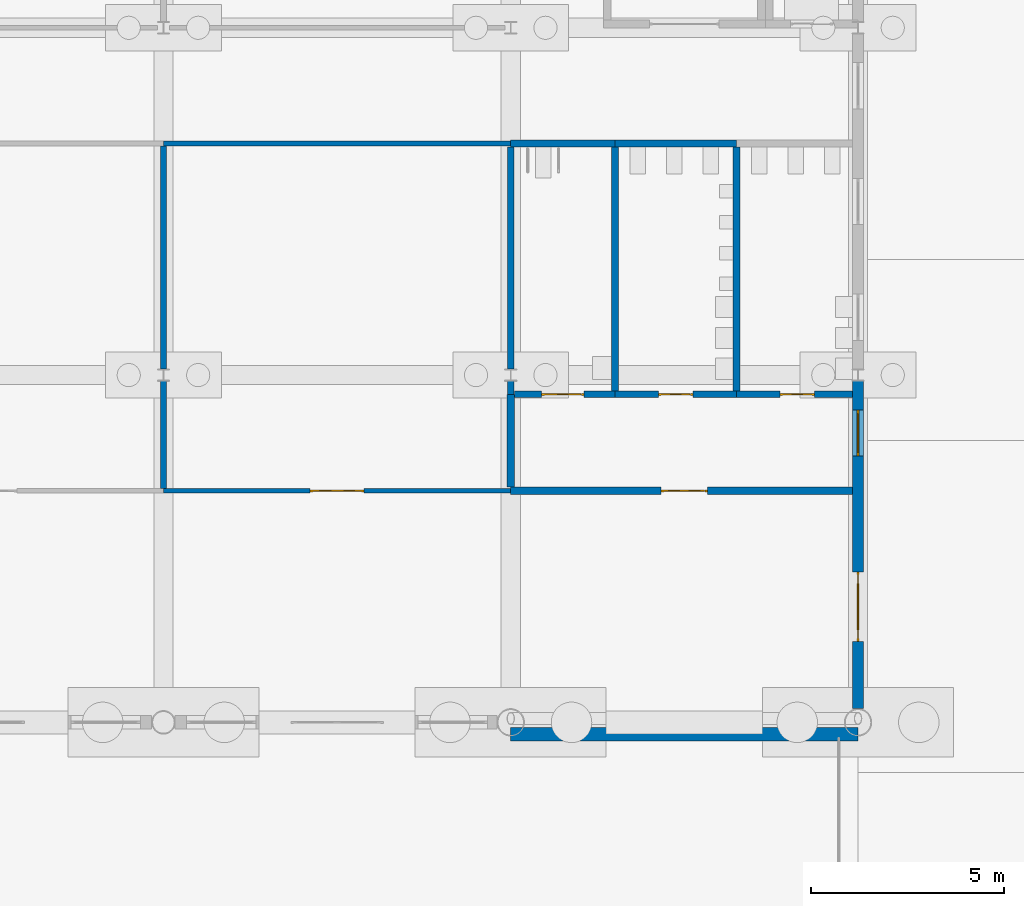
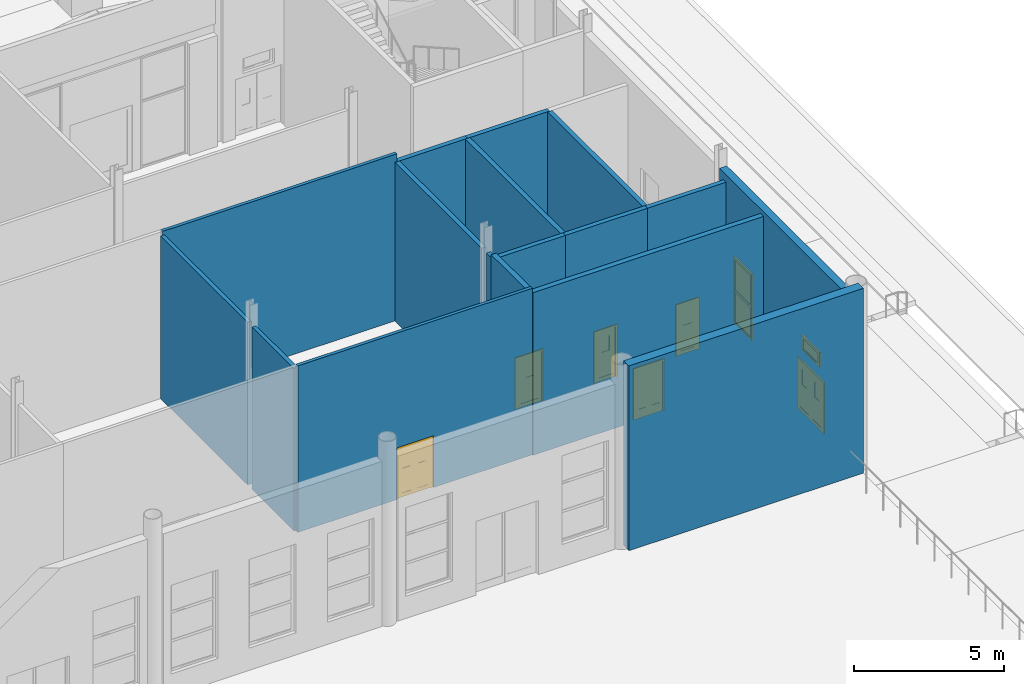
# One storey, part 130 of 250: 17 walls, 6 doors, 2 windows, 8 openings.
"""IFC4 building model written with IfcOpenShell, lengths in metres."""

from ifc_helpers import new_model, si_unit, direction, frame, frame_2d, origin, place, context, subcontext, project, spatial, polyline, rectangle, outline, extrude, material, layer, layer_set, type_object, element, fill, save


model = new_model("IFC4")

# Units and contexts
model_context = context("Model", 3, precision=1e-05, world=origin(), true_north=direction((0.0, 1.0)))
body_context = subcontext(model_context, "Body", "Model", "MODEL_VIEW")
ifc_project = project(units=[si_unit("LENGTHUNIT", "METRE"), si_unit("AREAUNIT", "SQUARE_METRE"), si_unit("VOLUMEUNIT", "CUBIC_METRE"), si_unit("PLANEANGLEUNIT", "RADIAN"), si_unit("MASSUNIT", "GRAM", prefix="KILO")], contexts=[model_context])

# Site, building, storey
site_placement = place(None, origin())
site = spatial("IfcSite", under=ifc_project, at=site_placement, CompositionType="ELEMENT")
building_placement = place(site_placement, origin())
building = spatial("IfcBuilding", under=site, at=building_placement, Name="Baradari Gate Terminus", CompositionType="ELEMENT")
storey_placement = place(building_placement, origin())
storey = spatial("IfcBuildingStorey", under=building, at=storey_placement, Name="L00", CompositionType="ELEMENT", Elevation=0.0)

# Wall
ifc_material_1 = material(Name="Gypsum board")
ifc_layer_1 = layer(ifc_material_1, 0.125)
ifc_layer_set_1 = layer_set([ifc_layer_1], Name="Gypsum board")
wall_type_1 = type_object("IfcWallType", Name="Corridor partition PT-5 125 EI 30", PredefinedType="PARTITIONING", material=ifc_layer_set_1)
wall_1_placement = place(storey_placement, frame((234.0, 96.0, 0.0), z_axis=(0.0, 0.0, 1.0), x_axis=(-1.0, 0.0, 0.0)))
element("IfcWall", 1, at=wall_1_placement, inside=storey, type_object=wall_type_1, Name="PT-5 partition Corridor (Service Corridor East) / Prayer Room (Women)", PredefinedType="PARTITIONING", context=body_context, shape_type="SweptSolid", body=[
    extrude(rectangle(XDim=9.0, YDim=0.125, at=frame_2d((4.5, 0.0))), origin(), (0.0, 0.0, 1.0), 6.757080078125),
])

# Wall, opening, door
wall_2_placement = place(storey_placement, frame((225.0, 87.0, 0.0), z_axis=(0.0, 0.0, 1.0), x_axis=(1.0, 0.0, 0.0)))
wall_2 = element("IfcWall", 2, at=wall_2_placement, inside=storey, type_object=wall_type_1, Name="PT-5 partition Corridor (Platform Passage East) / Prayer Room (Women)", PredefinedType="PARTITIONING", context=body_context, shape_type="SweptSolid", body=[
    extrude(rectangle(XDim=9.0, YDim=0.125, at=frame_2d((4.5, 0.0))), origin(), (0.0, 0.0, 1.0), 6.757080078125),
])
opening_1_placement = place(wall_2_placement, frame((3.800048828125, 0.0, 0.0)))
opening_1 = element("IfcOpeningElement", 3, at=opening_1_placement, cuts=wall_2, Name="Opening D00-116", PredefinedType="OPENING", context=body_context, shape_type="SweptSolid", body=[
    extrude(rectangle(XDim=1.39990234375, YDim=2.10009765625, at=frame_2d((0.699951171875, 1.050048828125))), frame((0.0, 0.072509765625, 0.0), z_axis=(0.0, -1.0, 0.0), x_axis=(1.0, 0.0, 0.0)), (0.0, 0.0, 1.0), 0.14501953125),
])
ifc_material_2 = material(Name="Steel S275", Category="steel")
door_type_1 = type_object("IfcDoorType", Name="Fire door FI-1400-FD30S 1400x2100 FD30S", OperationType="DOUBLE_DOOR_SINGLE_SWING", PredefinedType="DOOR", material=ifc_material_2)
door_1_placement = place(opening_1_placement, origin())
door_1 = element("IfcDoor", 4, at=door_1_placement, inside=storey, type_object=door_type_1, Name="Door Prayer Room (Women)", OperationType="DOUBLE_DOOR_SINGLE_SWING", OverallHeight=2.1, OverallWidth=1.4, PredefinedType="DOOR", context=body_context, shape_type="SweptSolid", body=[
    extrude(outline(polyline([(0.0, 0.0), (0.070068359375, 0.0), (0.070068359375, 2.030029296875), (1.329833984375, 2.030029296875), (1.329833984375, 0.0), (1.39990234375, 0.0), (1.39990234375, 2.10009765625), (0.0, 2.10009765625), (0.0, 0.0)])), frame((0.0, 0.02490234375, 0.0), z_axis=(0.0, -1.0, 0.0), x_axis=(1.0, 0.0, 0.0)), (0.0, 0.0, 1.0), 0.050048828125),
    extrude(outline(polyline([(0.073974609375, 0.010009765625), (0.69677734375, 0.010009765625), (0.69677734375, 2.026123046875), (0.073974609375, 2.026123046875), (0.073974609375, 0.010009765625)]), holes=[polyline([(0.194091796875, 0.159912109375), (0.576904296875, 0.159912109375), (0.576904296875, 1.010009765625), (0.194091796875, 1.010009765625), (0.194091796875, 0.159912109375)]), polyline([(0.2353515625, 1.159912109375), (0.535400390625, 1.159912109375), (0.535400390625, 1.760009765625), (0.2353515625, 1.760009765625), (0.2353515625, 1.159912109375)])]), frame((0.0, 0.017333984375, 0.0), z_axis=(0.0, -1.0, 0.0), x_axis=(1.0, 0.0, 0.0)), (0.0, 0.0, 1.0), 0.034912109375),
    extrude(rectangle(XDim=0.3828125, YDim=0.85009765625, at=frame_2d((0.385498046875, 0.5849609375))), frame((0.0, 0.008544921875, 0.0), z_axis=(0.0, -1.0, 0.0), x_axis=(1.0, 0.0, 0.0)), (0.0, 0.0, 1.0), 0.017333984375),
    extrude(rectangle(XDim=0.300048828125, YDim=0.60009765625, at=frame_2d((0.38525390625, 1.4599609375))), frame((0.0, 0.005859375, 0.0), z_axis=(0.0, -1.0, 0.0), x_axis=(1.0, 0.0, 0.0)), (0.0, 0.0, 1.0), 0.011962890625),
    extrude(outline(polyline([(0.703125, 0.010009765625), (1.325927734375, 0.010009765625), (1.325927734375, 2.026123046875), (0.703125, 2.026123046875), (0.703125, 0.010009765625)]), holes=[polyline([(0.822998046875, 0.159912109375), (1.205810546875, 0.159912109375), (1.205810546875, 1.010009765625), (0.822998046875, 1.010009765625), (0.822998046875, 0.159912109375)]), polyline([(0.864501953125, 1.159912109375), (1.16455078125, 1.159912109375), (1.16455078125, 1.760009765625), (0.864501953125, 1.760009765625), (0.864501953125, 1.159912109375)])]), frame((0.0, 0.017333984375, 0.0), z_axis=(0.0, -1.0, 0.0), x_axis=(1.0, 0.0, 0.0)), (0.0, 0.0, 1.0), 0.034912109375),
    extrude(rectangle(XDim=0.3828125, YDim=0.85009765625, at=frame_2d((1.014404296875, 0.5849609375))), frame((0.0, 0.008544921875, 0.0), z_axis=(0.0, -1.0, 0.0), x_axis=(1.0, 0.0, 0.0)), (0.0, 0.0, 1.0), 0.017333984375),
    extrude(rectangle(XDim=0.300048828125, YDim=0.60009765625, at=frame_2d((1.0146484375, 1.4599609375))), frame((0.0, 0.005859375, 0.0), z_axis=(0.0, -1.0, 0.0), x_axis=(1.0, 0.0, 0.0)), (0.0, 0.0, 1.0), 0.011962890625),
])
fill(opening_1, door_1)

# Wall, openings, windows, door
ifc_material_3 = material(Name="Concrete C40/50 precast", Category="concrete")
ifc_layer_2 = layer(ifc_material_3, 0.23)
ifc_material_4 = material(Name="Reconstituted stone", Category="masonry")
ifc_layer_3 = layer(ifc_material_4, 0.05)
ifc_layer_set_2 = layer_set([ifc_layer_2, ifc_layer_3], Name="Concrete C40/50 precast")
wall_type_2 = type_object("IfcWallType", Name="End wall WE-1 280", PredefinedType="SOLIDWALL", material=ifc_layer_set_2)
wall_3_placement = place(storey_placement, frame((243.0, 81.35546875, 0.0), z_axis=(0.0, 0.0, 1.0), x_axis=(0.0, 1.0, 0.0)))
wall_3 = element("IfcWall", 5, at=wall_3_placement, inside=storey, type_object=wall_type_2, Name="east end HE bay 10 L00", PredefinedType="SOLIDWALL", context=body_context, shape_type="SweptSolid", body=[
    extrude(rectangle(XDim=8.4873046875, YDim=0.280029296875, at=frame_2d((4.24365234375, 0.0))), origin(), (0.0, 0.0, 1.0), 6.767333984375),
])
opening_2_placement = place(wall_3_placement, frame((1.744384765625, 0.0, 0.0)))
opening_2 = element("IfcOpeningElement", 6, at=opening_2_placement, cuts=wall_3, Name="Opening D00-044", PredefinedType="OPENING", context=body_context, shape_type="SweptSolid", body=[
    extrude(rectangle(XDim=1.800048828125, YDim=2.10009765625, at=frame_2d((0.89990234375, 1.050048828125))), frame((0.0, 0.14990234375, 0.0), z_axis=(0.0, -1.0, 0.0), x_axis=(1.0, 0.0, 0.0)), (0.0, 0.0, 1.0), 0.300048828125),
])
opening_3_placement = place(wall_3_placement, frame((2.04443359375, 0.0, 2.550048828125)))
opening_3 = element("IfcOpeningElement", 7, at=opening_3_placement, cuts=wall_3, Name="Opening W10", PredefinedType="OPENING", context=body_context, shape_type="SweptSolid", body=[
    extrude(rectangle(XDim=1.199951171875, YDim=0.60009765625, at=frame_2d((0.60009765625, 0.300048828125))), frame((0.0, 0.14990234375, 0.0), z_axis=(0.0, -1.0, 0.0), x_axis=(1.0, 0.0, 0.0)), (0.0, 0.0, 1.0), 0.300048828125),
])
opening_4_placement = place(wall_3_placement, frame((6.54443359375, 0.0, 0.89990234375)))
opening_4 = element("IfcOpeningElement", 8, at=opening_4_placement, cuts=wall_3, Name="Opening W7", PredefinedType="OPENING", context=body_context, shape_type="SweptSolid", body=[
    extrude(rectangle(XDim=1.199951171875, YDim=2.699951171875, at=frame_2d((0.60009765625, 1.35009765625))), frame((0.0, 0.14990234375, 0.0), z_axis=(0.0, -1.0, 0.0), x_axis=(1.0, 0.0, 0.0)), (0.0, 0.0, 1.0), 0.300048828125),
])
ifc_material_5 = material(Name="Aluminium 6063-T6", Category="aluminium")
window_type_1 = type_object("IfcWindowType", Name="Door fanlight W10 1200x600", PartitioningType="SINGLE_PANEL", PredefinedType="WINDOW", material=ifc_material_5)
window_1_placement = place(opening_3_placement, origin())
window_1 = element("IfcWindow", 9, at=window_1_placement, inside=storey, type_object=window_type_1, Name="Fanlight over Corridor (Platform Passage East)", OverallHeight=0.6, OverallWidth=1.2, PartitioningType="SINGLE_PANEL", PredefinedType="WINDOW", context=body_context, shape_type="SweptSolid", body=[
    extrude(outline(polyline([(0.0, 0.0), (1.199951171875, 0.0), (1.199951171875, 0.60009765625), (0.0, 0.60009765625), (0.0, 0.0)]), holes=[polyline([(0.070068359375, 0.070068359375), (1.1298828125, 0.070068359375), (1.1298828125, 0.530029296875), (0.070068359375, 0.530029296875), (0.070068359375, 0.070068359375)])]), frame((0.0, 0.030029296875, 0.0), z_axis=(0.0, -1.0, 0.0), x_axis=(1.0, 0.0, 0.0)), (0.0, 0.0, 1.0), 0.06005859375),
    extrude(outline(polyline([(0.070068359375, 0.070068359375), (1.1298828125, 0.070068359375), (1.1298828125, 0.530029296875), (0.070068359375, 0.530029296875), (0.070068359375, 0.070068359375)]), holes=[polyline([(0.10009765625, 0.10009765625), (1.099853515625, 0.10009765625), (1.099853515625, 0.5), (0.10009765625, 0.5), (0.10009765625, 0.10009765625)])]), frame((0.0, 0.0224609375, 0.0), z_axis=(0.0, -1.0, 0.0), x_axis=(1.0, 0.0, 0.0)), (0.0, 0.0, 1.0), 0.044921875),
    extrude(rectangle(XDim=0.999755859375, YDim=0.39990234375, at=frame_2d((0.60009765625, 0.300048828125))), frame((0.0, 0.006103515625, 0.0), z_axis=(0.0, -1.0, 0.0), x_axis=(1.0, 0.0, 0.0)), (0.0, 0.0, 1.0), 0.01220703125),
])
fill(opening_3, window_1)
ifc_material_6 = material(Name="Aluminium 6063-T6", Category="aluminium")
window_type_2 = type_object("IfcWindowType", Name="Service block window W7 1200x2700", PartitioningType="DOUBLE_PANEL_HORIZONTAL", PredefinedType="WINDOW", material=ifc_material_6)
window_2_placement = place(opening_4_placement, origin())
window_2 = element("IfcWindow", 10, at=window_2_placement, inside=storey, type_object=window_type_2, Name="Window W7 HE/09", OverallHeight=2.7, OverallWidth=1.2, PartitioningType="DOUBLE_PANEL_HORIZONTAL", PredefinedType="WINDOW", context=body_context, shape_type="SweptSolid", body=[
    extrude(outline(polyline([(0.0, 0.0), (1.199951171875, 0.0), (1.199951171875, 2.699951171875), (0.0, 2.699951171875), (0.0, 0.0)]), holes=[polyline([(0.070068359375, 0.070068359375), (1.1298828125, 0.070068359375), (1.1298828125, 2.6298828125), (0.070068359375, 2.6298828125), (0.070068359375, 0.070068359375)])]), frame((0.0, 0.030029296875, 0.0), z_axis=(0.0, -1.0, 0.0), x_axis=(1.0, 0.0, 0.0)), (0.0, 0.0, 1.0), 0.06005859375),
    extrude(rectangle(XDim=1.059814453125, YDim=0.0400390625, at=frame_2d((0.60009765625, 1.35009765625))), frame((0.0, 0.021484375, 0.0), z_axis=(0.0, -1.0, 0.0), x_axis=(1.0, 0.0, 0.0)), (0.0, 0.0, 1.0), 0.04296875),
    extrude(outline(polyline([(0.070068359375, 0.070068359375), (1.1298828125, 0.070068359375), (1.1298828125, 1.330078125), (0.070068359375, 1.330078125), (0.070068359375, 0.070068359375)]), holes=[polyline([(0.10009765625, 0.10009765625), (1.099853515625, 0.10009765625), (1.099853515625, 1.300048828125), (0.10009765625, 1.300048828125), (0.10009765625, 0.10009765625)])]), frame((0.0, 0.0224609375, 0.0), z_axis=(0.0, -1.0, 0.0), x_axis=(1.0, 0.0, 0.0)), (0.0, 0.0, 1.0), 0.044921875),
    extrude(rectangle(XDim=0.999755859375, YDim=1.199951171875, at=frame_2d((0.60009765625, 0.7001953125))), frame((0.0, 0.006103515625, 0.0), z_axis=(0.0, -1.0, 0.0), x_axis=(1.0, 0.0, 0.0)), (0.0, 0.0, 1.0), 0.01220703125),
    extrude(outline(polyline([(0.070068359375, 1.3701171875), (1.1298828125, 1.3701171875), (1.1298828125, 2.6298828125), (0.070068359375, 2.6298828125), (0.070068359375, 1.3701171875)]), holes=[polyline([(0.10009765625, 1.39990234375), (1.099853515625, 1.39990234375), (1.099853515625, 2.599853515625), (0.10009765625, 2.599853515625), (0.10009765625, 1.39990234375)])]), frame((0.0, 0.0224609375, 0.0), z_axis=(0.0, -1.0, 0.0), x_axis=(1.0, 0.0, 0.0)), (0.0, 0.0, 1.0), 0.044921875),
    extrude(rectangle(XDim=0.999755859375, YDim=1.199951171875, at=frame_2d((0.60009765625, 2.0))), frame((0.0, 0.006103515625, 0.0), z_axis=(0.0, -1.0, 0.0), x_axis=(1.0, 0.0, 0.0)), (0.0, 0.0, 1.0), 0.01220703125),
])
fill(opening_4, window_2)
ifc_material_7 = material(Name="Steel S235", Category="steel")
door_type_2 = type_object("IfcDoorType", Name="Store door pair, steel DT-5 1800x2100", OperationType="DOUBLE_DOOR_SINGLE_SWING", PredefinedType="DOOR", material=ifc_material_7)
door_2_placement = place(opening_2_placement, frame((1.800048828125, 0.0, 0.0), z_axis=(0.0, 0.0, 1.0), x_axis=(-1.0, 0.0, 0.0)))
door_2 = element("IfcDoor", 11, at=door_2_placement, inside=storey, type_object=door_type_2, Name="Exit door Corridor (Platform Passage East)", OperationType="DOUBLE_DOOR_SINGLE_SWING", OverallHeight=2.1, OverallWidth=1.8, PredefinedType="DOOR", context=body_context, shape_type="SweptSolid", body=[
    extrude(outline(polyline([(0.0, 0.0), (0.070068359375, 0.0), (0.070068359375, 2.030029296875), (1.72998046875, 2.030029296875), (1.72998046875, 0.0), (1.800048828125, 0.0), (1.800048828125, 2.10009765625), (0.0, 2.10009765625), (0.0, 0.0)])), frame((0.0, 0.02490234375, 0.0), z_axis=(0.0, -1.0, 0.0), x_axis=(1.0, 0.0, 0.0)), (0.0, 0.0, 1.0), 0.050048828125),
    extrude(outline(polyline([(0.073974609375, 0.010009765625), (0.89697265625, 0.010009765625), (0.89697265625, 2.026123046875), (0.073974609375, 2.026123046875), (0.073974609375, 0.010009765625)]), holes=[polyline([(0.194091796875, 0.159912109375), (0.77685546875, 0.159912109375), (0.77685546875, 1.010009765625), (0.194091796875, 1.010009765625), (0.194091796875, 0.159912109375)]), polyline([(0.33544921875, 1.159912109375), (0.635498046875, 1.159912109375), (0.635498046875, 1.760009765625), (0.33544921875, 1.760009765625), (0.33544921875, 1.159912109375)])]), frame((0.0, 0.017333984375, 0.0), z_axis=(0.0, -1.0, 0.0), x_axis=(1.0, 0.0, 0.0)), (0.0, 0.0, 1.0), 0.034912109375),
    extrude(rectangle(XDim=0.582763671875, YDim=0.85009765625, at=frame_2d((0.4853515625, 0.5849609375))), frame((0.0, 0.008544921875, 0.0), z_axis=(0.0, -1.0, 0.0), x_axis=(1.0, 0.0, 0.0)), (0.0, 0.0, 1.0), 0.017333984375),
    extrude(rectangle(XDim=0.300048828125, YDim=0.60009765625, at=frame_2d((0.4853515625, 1.4599609375))), frame((0.0, 0.005859375, 0.0), z_axis=(0.0, -1.0, 0.0), x_axis=(1.0, 0.0, 0.0)), (0.0, 0.0, 1.0), 0.011962890625),
    extrude(outline(polyline([(0.903076171875, 0.010009765625), (1.72607421875, 0.010009765625), (1.72607421875, 2.026123046875), (0.903076171875, 2.026123046875), (0.903076171875, 0.010009765625)]), holes=[polyline([(1.023193359375, 0.159912109375), (1.60595703125, 0.159912109375), (1.60595703125, 1.010009765625), (1.023193359375, 1.010009765625), (1.023193359375, 0.159912109375)]), polyline([(1.16455078125, 1.159912109375), (1.464599609375, 1.159912109375), (1.464599609375, 1.760009765625), (1.16455078125, 1.760009765625), (1.16455078125, 1.159912109375)])]), frame((0.0, 0.017333984375, 0.0), z_axis=(0.0, -1.0, 0.0), x_axis=(1.0, 0.0, 0.0)), (0.0, 0.0, 1.0), 0.034912109375),
    extrude(rectangle(XDim=0.582763671875, YDim=0.85009765625, at=frame_2d((1.314453125, 0.5849609375))), frame((0.0, 0.008544921875, 0.0), z_axis=(0.0, -1.0, 0.0), x_axis=(1.0, 0.0, 0.0)), (0.0, 0.0, 1.0), 0.017333984375),
    extrude(rectangle(XDim=0.300048828125, YDim=0.60009765625, at=frame_2d((1.314453125, 1.4599609375))), frame((0.0, 0.005859375, 0.0), z_axis=(0.0, -1.0, 0.0), x_axis=(1.0, 0.0, 0.0)), (0.0, 0.0, 1.0), 0.011962890625),
])
fill(opening_2, door_2)

# Wall, opening, door
ifc_material_8 = material(Name="Blockwork wall, plastered, fire rated", Category="masonry")
ifc_layer_4 = layer(ifc_material_8, 0.199951171875)
ifc_layer_set_3 = layer_set([ifc_layer_4], Name="Blockwork wall, plastered, fire rated")
wall_type_3 = type_object("IfcWallType", Name="Lobby partition PT-4 200 EI 60", PredefinedType="PARTITIONING", material=ifc_layer_set_3)
wall_4_placement = place(storey_placement, frame((234.0, 87.0, 0.0), z_axis=(0.0, 0.0, 1.0), x_axis=(1.0, 0.0, 0.0)))
wall_4 = element("IfcWall", 12, at=wall_4_placement, inside=storey, type_object=wall_type_3, Name="PT-4 partition Corridor (Platform Passage East) / WC Lobby", PredefinedType="PARTITIONING", context=body_context, shape_type="SweptSolid", body=[
    extrude(rectangle(XDim=8.85791015625, YDim=0.199951171875, at=frame_2d((4.428955078125, 0.0))), origin(), (0.0, 0.0, 1.0), 6.60009765625),
])
opening_5_placement = place(wall_4_placement, frame((3.89990234375, 0.0, 0.0)))
opening_5 = element("IfcOpeningElement", 13, at=opening_5_placement, cuts=wall_4, Name="Opening D00-117", PredefinedType="OPENING", context=body_context, shape_type="SweptSolid", body=[
    extrude(rectangle(XDim=1.199951171875, YDim=2.10009765625, at=frame_2d((0.60009765625, 1.050048828125))), frame((0.0, 0.10986328125, 0.0), z_axis=(0.0, -1.0, 0.0), x_axis=(1.0, 0.0, 0.0)), (0.0, 0.0, 1.0), 0.219970703125),
])
ifc_material_9 = material(Name="Steel S275", Category="steel")
door_type_3 = type_object("IfcDoorType", Name="Fire door FI-1200-FD60S 1200x2100 FD60S", OperationType="DOUBLE_DOOR_SINGLE_SWING", PredefinedType="DOOR", material=ifc_material_9)
door_3_placement = place(opening_5_placement, origin())
door_3 = element("IfcDoor", 14, at=door_3_placement, inside=storey, type_object=door_type_3, Name="Door WC Lobby", OperationType="DOUBLE_DOOR_SINGLE_SWING", OverallHeight=2.1, OverallWidth=1.2, PredefinedType="DOOR", context=body_context, shape_type="SweptSolid", body=[
    extrude(outline(polyline([(0.0, 0.0), (0.070068359375, 0.0), (0.070068359375, 2.030029296875), (1.1298828125, 2.030029296875), (1.1298828125, 0.0), (1.199951171875, 0.0), (1.199951171875, 2.10009765625), (0.0, 2.10009765625), (0.0, 0.0)])), frame((0.0, 0.02490234375, 0.0), z_axis=(0.0, -1.0, 0.0), x_axis=(1.0, 0.0, 0.0)), (0.0, 0.0, 1.0), 0.050048828125),
    extrude(outline(polyline([(0.073974609375, 0.010009765625), (0.596923828125, 0.010009765625), (0.596923828125, 2.026123046875), (0.073974609375, 2.026123046875), (0.073974609375, 0.010009765625)]), holes=[polyline([(0.178466796875, 0.372802734375), (0.492431640625, 0.372802734375), (0.492431640625, 1.7841796875), (0.178466796875, 1.7841796875), (0.178466796875, 0.372802734375)])]), frame((0.0, 0.017333984375, 0.0), z_axis=(0.0, -1.0, 0.0), x_axis=(1.0, 0.0, 0.0)), (0.0, 0.0, 1.0), 0.034912109375),
    extrude(rectangle(XDim=0.31396484375, YDim=1.411376953125, at=frame_2d((0.33544921875, 1.07861328125))), frame((0.0, 0.008544921875, 0.0), z_axis=(0.0, -1.0, 0.0), x_axis=(1.0, 0.0, 0.0)), (0.0, 0.0, 1.0), 0.017333984375),
    extrude(outline(polyline([(0.60302734375, 0.010009765625), (1.1259765625, 0.010009765625), (1.1259765625, 2.026123046875), (0.60302734375, 2.026123046875), (0.60302734375, 0.010009765625)]), holes=[polyline([(0.70751953125, 0.372802734375), (1.021484375, 0.372802734375), (1.021484375, 1.7841796875), (0.70751953125, 1.7841796875), (0.70751953125, 0.372802734375)])]), frame((0.0, 0.017333984375, 0.0), z_axis=(0.0, -1.0, 0.0), x_axis=(1.0, 0.0, 0.0)), (0.0, 0.0, 1.0), 0.034912109375),
    extrude(rectangle(XDim=0.31396484375, YDim=1.411376953125, at=frame_2d((0.864501953125, 1.07861328125))), frame((0.0, 0.008544921875, 0.0), z_axis=(0.0, -1.0, 0.0), x_axis=(1.0, 0.0, 0.0)), (0.0, 0.0, 1.0), 0.017333984375),
])
fill(opening_5, door_3)

# Walls
wall_5_placement = place(storey_placement, frame((234.0, 89.5, 0.0), z_axis=(0.0, 0.0, 1.0), x_axis=(0.0, -1.0, 0.0)))
element("IfcWall", 15, at=wall_5_placement, inside=storey, type_object=wall_type_3, Name="PT-4 partition Prayer Room (Women) / WC Lobby", PredefinedType="PARTITIONING", context=body_context, shape_type="SweptSolid", body=[
    extrude(rectangle(XDim=2.39990234375, YDim=0.199951171875, at=frame_2d((1.199951171875, 0.0))), origin(), (0.0, 0.0, 1.0), 6.60009765625),
])
ifc_material_10 = material(Name="Blockwork wall, plastered", Category="masonry")
ifc_layer_5 = layer(ifc_material_10, 0.14990234375)
ifc_layer_set_4 = layer_set([ifc_layer_5], Name="Blockwork wall, plastered")
wall_type_4 = type_object("IfcWallType", Name="Partition PT-2 150 EI 60", PredefinedType="PARTITIONING", material=ifc_layer_set_4)
wall_6_placement = place(storey_placement, frame((225.0, 95.9375, 0.0), z_axis=(0.0, 0.0, 1.0), x_axis=(0.0, -1.0, 0.0)))
element("IfcWall", 16, at=wall_6_placement, inside=storey, type_object=wall_type_4, Name="PT-2 partition Prayer Room (Men) / Prayer Room (Women)", PredefinedType="PARTITIONING", context=body_context, shape_type="SweptSolid", body=[
    extrude(rectangle(XDim=5.7802734375, YDim=0.14990234375, at=frame_2d((2.89013671875, 0.0))), origin(), (0.0, 0.0, 1.0), 6.60009765625),
])
wall_7_placement = place(storey_placement, frame((225.0, 89.8427734375, 0.0), z_axis=(0.0, 0.0, 1.0), x_axis=(0.0, -1.0, 0.0)))
element("IfcWall", 17, at=wall_7_placement, inside=storey, type_object=wall_type_4, Name="PT-2 partition Prayer Room (Men) / Prayer Room (Women)", PredefinedType="PARTITIONING", context=body_context, shape_type="SweptSolid", body=[
    extrude(rectangle(XDim=2.7802734375, YDim=0.14990234375, at=frame_2d((1.39013671875, 0.0))), origin(), (0.0, 0.0, 1.0), 6.60009765625),
])
ifc_material_11 = material(Name="Sandstone masonry", Category="masonry")
ifc_layer_6 = layer(ifc_material_11, 0.35009765625)
ifc_layer_set_5 = layer_set([ifc_layer_6], Name="Sandstone masonry")
wall_type_5 = type_object("IfcWallType", Name="Sandstone masonry wall WS-1 350", PredefinedType="SOLIDWALL", material=ifc_layer_set_5)
wall_8_placement = place(storey_placement, frame((234.0, 80.68994140625, 0.0), z_axis=(0.0, 0.0, 1.0), x_axis=(1.0, 0.0, 0.0)))
element("IfcWall", 18, at=wall_8_placement, inside=storey, type_object=wall_type_5, Name="External wall platform side bay 26 L00", PredefinedType="SOLIDWALL", context=body_context, shape_type="SweptSolid", body=[
    extrude(rectangle(XDim=9.0, YDim=0.35009765625, at=frame_2d((4.5, 0.0))), origin(), (0.0, 0.0, 1.0), 7.5),
])
ifc_material_12 = material(Name="Blockwork wall, tiled both faces", Category="masonry")
ifc_layer_7 = layer(ifc_material_12, 0.175048828125)
ifc_layer_set_6 = layer_set([ifc_layer_7], Name="Blockwork wall, tiled both faces")
wall_type_6 = type_object("IfcWallType", Name="WC wet wall PT-6 175 EI 60", PredefinedType="PARTITIONING", material=ifc_layer_set_6)
wall_9_placement = place(storey_placement, frame((239.85009765625, 96.0, 0.0), z_axis=(0.0, 0.0, 1.0), x_axis=(-1.0, 0.0, 0.0)))
element("IfcWall", 19, at=wall_9_placement, inside=storey, type_object=wall_type_6, Name="PT-6 partition Corridor (Service Corridor East) / Male WC", PredefinedType="PARTITIONING", context=body_context, shape_type="SweptSolid", body=[
    extrude(rectangle(XDim=3.150146484375, YDim=0.175048828125, at=frame_2d((1.5751953125, 0.0))), origin(), (0.0, 0.0, 1.0), 6.458984375),
])
wall_10_placement = place(storey_placement, frame((236.699951171875, 96.0, 0.0), z_axis=(0.0, 0.0, 1.0), x_axis=(-1.0, 0.0, 0.0)))
element("IfcWall", 20, at=wall_10_placement, inside=storey, type_object=wall_type_6, Name="PT-6 partition Corridor (Service Corridor East) / Accessible WC", PredefinedType="PARTITIONING", context=body_context, shape_type="SweptSolid", body=[
    extrude(rectangle(XDim=2.699951171875, YDim=0.175048828125, at=frame_2d((1.35009765625, 0.0))), origin(), (0.0, 0.0, 1.0), 6.458984375),
])
wall_11_placement = place(storey_placement, frame((234.0, 95.91259765625, 0.0), z_axis=(0.0, 0.0, 1.0), x_axis=(0.0, -1.0, 0.0)))
element("IfcWall", 21, at=wall_11_placement, inside=storey, type_object=wall_type_6, Name="PT-6 partition Prayer Room (Women) / Accessible WC", PredefinedType="PARTITIONING", context=body_context, shape_type="SweptSolid", body=[
    extrude(rectangle(XDim=5.75537109375, YDim=0.175048828125, at=frame_2d((2.877685546875, 0.0))), origin(), (0.0, 0.0, 1.0), 6.458984375),
])
wall_12_placement = place(storey_placement, frame((234.0, 89.8427734375, 0.0), z_axis=(0.0, 0.0, 1.0), x_axis=(0.0, -1.0, 0.0)))
element("IfcWall", 22, at=wall_12_placement, inside=storey, type_object=wall_type_6, Name="PT-6 partition Prayer Room (Women) / Accessible WC", PredefinedType="PARTITIONING", context=body_context, shape_type="SweptSolid", body=[
    extrude(rectangle(XDim=0.3427734375, YDim=0.175048828125, at=frame_2d((0.17138671875, 0.0))), origin(), (0.0, 0.0, 1.0), 6.458984375),
])

# Wall, opening, door
wall_13_placement = place(storey_placement, frame((239.85009765625, 89.5, 0.0), z_axis=(0.0, 0.0, 1.0), x_axis=(1.0, 0.0, 0.0)))
wall_13 = element("IfcWall", 23, at=wall_13_placement, inside=storey, type_object=wall_type_6, Name="PT-6 partition WC Lobby / Female WC", PredefinedType="PARTITIONING", context=body_context, shape_type="SweptSolid", body=[
    extrude(rectangle(XDim=3.0078125, YDim=0.175048828125, at=frame_2d((1.50390625, 0.0))), origin(), (0.0, 0.0, 1.0), 6.458984375),
])
opening_6_placement = place(wall_13_placement, frame((1.125, 0.0, 0.0)))
opening_6 = element("IfcOpeningElement", 24, at=opening_6_placement, cuts=wall_13, Name="Opening D00-120", PredefinedType="OPENING", context=body_context, shape_type="SweptSolid", body=[
    extrude(rectangle(XDim=0.89990234375, YDim=2.10009765625, at=frame_2d((0.449951171875, 1.050048828125))), frame((0.0, 0.097412109375, 0.0), z_axis=(0.0, -1.0, 0.0), x_axis=(1.0, 0.0, 0.0)), (0.0, 0.0, 1.0), 0.195068359375),
])
ifc_material_13 = material(Name="Steel S275", Category="steel")
door_type_4 = type_object("IfcDoorType", Name="Fire door FI-900-FD60S 900x2100 FD60S", OperationType="SINGLE_SWING_LEFT", PredefinedType="DOOR", material=ifc_material_13)
door_4_placement = place(opening_6_placement, origin())
door_4 = element("IfcDoor", 25, at=door_4_placement, inside=storey, type_object=door_type_4, Name="Door Female WC", OperationType="SINGLE_SWING_LEFT", OverallHeight=2.1, OverallWidth=0.9, PredefinedType="DOOR", context=body_context, shape_type="SweptSolid", body=[
    extrude(outline(polyline([(0.0, 0.0), (0.070068359375, 0.0), (0.070068359375, 2.030029296875), (0.829833984375, 2.030029296875), (0.829833984375, 0.0), (0.89990234375, 0.0), (0.89990234375, 2.10009765625), (0.0, 2.10009765625), (0.0, 0.0)])), frame((0.0, 0.02490234375, 0.0), z_axis=(0.0, -1.0, 0.0), x_axis=(1.0, 0.0, 0.0)), (0.0, 0.0, 1.0), 0.050048828125),
    extrude(outline(polyline([(0.073974609375, 0.010009765625), (0.825927734375, 0.010009765625), (0.825927734375, 2.026123046875), (0.073974609375, 2.026123046875), (0.073974609375, 0.010009765625)]), holes=[polyline([(0.194091796875, 0.159912109375), (0.705810546875, 0.159912109375), (0.705810546875, 1.010009765625), (0.194091796875, 1.010009765625), (0.194091796875, 0.159912109375)]), polyline([(0.300048828125, 1.159912109375), (0.599853515625, 1.159912109375), (0.599853515625, 1.760009765625), (0.300048828125, 1.760009765625), (0.300048828125, 1.159912109375)])]), frame((0.0, 0.017333984375, 0.0), z_axis=(0.0, -1.0, 0.0), x_axis=(1.0, 0.0, 0.0)), (0.0, 0.0, 1.0), 0.034912109375),
    extrude(rectangle(XDim=0.51171875, YDim=0.85009765625, at=frame_2d((0.449951171875, 0.5849609375))), frame((0.0, 0.008544921875, 0.0), z_axis=(0.0, -1.0, 0.0), x_axis=(1.0, 0.0, 0.0)), (0.0, 0.0, 1.0), 0.017333984375),
    extrude(rectangle(XDim=0.2998046875, YDim=0.60009765625, at=frame_2d((0.449951171875, 1.4599609375))), frame((0.0, 0.005859375, 0.0), z_axis=(0.0, -1.0, 0.0), x_axis=(1.0, 0.0, 0.0)), (0.0, 0.0, 1.0), 0.011962890625),
])
fill(opening_6, door_4)

wall_14_placement = place(storey_placement, frame((236.699951171875, 89.5, 0.0), z_axis=(0.0, 0.0, 1.0), x_axis=(1.0, 0.0, 0.0)))
wall_14 = element("IfcWall", 26, at=wall_14_placement, inside=storey, type_object=wall_type_6, Name="PT-6 partition WC Lobby / Male WC", PredefinedType="PARTITIONING", context=body_context, shape_type="SweptSolid", body=[
    extrude(rectangle(XDim=3.150146484375, YDim=0.175048828125, at=frame_2d((1.5751953125, 0.0))), origin(), (0.0, 0.0, 1.0), 6.458984375),
])
opening_7_placement = place(wall_14_placement, frame((1.125, 0.0, 0.0)))
opening_7 = element("IfcOpeningElement", 27, at=opening_7_placement, cuts=wall_14, Name="Opening D00-119", PredefinedType="OPENING", context=body_context, shape_type="SweptSolid", body=[
    extrude(rectangle(XDim=0.89990234375, YDim=2.10009765625, at=frame_2d((0.449951171875, 1.050048828125))), frame((0.0, 0.097412109375, 0.0), z_axis=(0.0, -1.0, 0.0), x_axis=(1.0, 0.0, 0.0)), (0.0, 0.0, 1.0), 0.195068359375),
])
door_5_placement = place(opening_7_placement, origin())
door_5 = element("IfcDoor", 28, at=door_5_placement, inside=storey, type_object=door_type_4, Name="Door Male WC", OperationType="SINGLE_SWING_LEFT", OverallHeight=2.1, OverallWidth=0.9, PredefinedType="DOOR", context=body_context, shape_type="SweptSolid", body=[
    extrude(outline(polyline([(0.0, 0.0), (0.070068359375, 0.0), (0.070068359375, 2.030029296875), (0.829833984375, 2.030029296875), (0.829833984375, 0.0), (0.89990234375, 0.0), (0.89990234375, 2.10009765625), (0.0, 2.10009765625), (0.0, 0.0)])), frame((0.0, 0.02490234375, 0.0), z_axis=(0.0, -1.0, 0.0), x_axis=(1.0, 0.0, 0.0)), (0.0, 0.0, 1.0), 0.050048828125),
    extrude(outline(polyline([(0.073974609375, 0.010009765625), (0.825927734375, 0.010009765625), (0.825927734375, 2.026123046875), (0.073974609375, 2.026123046875), (0.073974609375, 0.010009765625)]), holes=[polyline([(0.194091796875, 0.159912109375), (0.705810546875, 0.159912109375), (0.705810546875, 1.010009765625), (0.194091796875, 1.010009765625), (0.194091796875, 0.159912109375)]), polyline([(0.300048828125, 1.159912109375), (0.599853515625, 1.159912109375), (0.599853515625, 1.760009765625), (0.300048828125, 1.760009765625), (0.300048828125, 1.159912109375)])]), frame((0.0, 0.017333984375, 0.0), z_axis=(0.0, -1.0, 0.0), x_axis=(1.0, 0.0, 0.0)), (0.0, 0.0, 1.0), 0.034912109375),
    extrude(rectangle(XDim=0.51171875, YDim=0.85009765625, at=frame_2d((0.449951171875, 0.5849609375))), frame((0.0, 0.008544921875, 0.0), z_axis=(0.0, -1.0, 0.0), x_axis=(1.0, 0.0, 0.0)), (0.0, 0.0, 1.0), 0.017333984375),
    extrude(rectangle(XDim=0.2998046875, YDim=0.60009765625, at=frame_2d((0.449951171875, 1.4599609375))), frame((0.0, 0.005859375, 0.0), z_axis=(0.0, -1.0, 0.0), x_axis=(1.0, 0.0, 0.0)), (0.0, 0.0, 1.0), 0.011962890625),
])
fill(opening_7, door_5)

wall_15_placement = place(storey_placement, frame((234.10009765625, 89.5, 0.0), z_axis=(0.0, 0.0, 1.0), x_axis=(1.0, 0.0, 0.0)))
wall_15 = element("IfcWall", 29, at=wall_15_placement, inside=storey, type_object=wall_type_6, Name="PT-6 partition WC Lobby / Accessible WC", PredefinedType="PARTITIONING", context=body_context, shape_type="SweptSolid", body=[
    extrude(rectangle(XDim=2.599853515625, YDim=0.175048828125, at=frame_2d((1.2998046875, 0.0))), origin(), (0.0, 0.0, 1.0), 6.458984375),
])
opening_8_placement = place(wall_15_placement, frame((0.699951171875, 0.0, 0.0)))
opening_8 = element("IfcOpeningElement", 30, at=opening_8_placement, cuts=wall_15, Name="Opening D00-118", PredefinedType="OPENING", context=body_context, shape_type="SweptSolid", body=[
    extrude(rectangle(XDim=1.10009765625, YDim=2.10009765625, at=frame_2d((0.550048828125, 1.050048828125))), frame((0.0, 0.097412109375, 0.0), z_axis=(0.0, -1.0, 0.0), x_axis=(1.0, 0.0, 0.0)), (0.0, 0.0, 1.0), 0.195068359375),
])
ifc_material_14 = material(Name="Steel S275", Category="steel")
door_type_5 = type_object("IfcDoorType", Name="Fire door FI-1100-FD60S 1100x2100 FD60S", OperationType="SINGLE_SWING_LEFT", PredefinedType="DOOR", material=ifc_material_14)
door_6_placement = place(opening_8_placement, origin())
door_6 = element("IfcDoor", 31, at=door_6_placement, inside=storey, type_object=door_type_5, Name="Door Accessible WC", OperationType="SINGLE_SWING_LEFT", OverallHeight=2.1, OverallWidth=1.1, PredefinedType="DOOR", context=body_context, shape_type="SweptSolid", body=[
    extrude(outline(polyline([(0.0, 0.0), (0.070068359375, 0.0), (0.070068359375, 2.030029296875), (1.030029296875, 2.030029296875), (1.030029296875, 0.0), (1.10009765625, 0.0), (1.10009765625, 2.10009765625), (0.0, 2.10009765625), (0.0, 0.0)])), frame((0.0, 0.02490234375, 0.0), z_axis=(0.0, -1.0, 0.0), x_axis=(1.0, 0.0, 0.0)), (0.0, 0.0, 1.0), 0.050048828125),
    extrude(outline(polyline([(0.073974609375, 0.010009765625), (1.026123046875, 0.010009765625), (1.026123046875, 2.026123046875), (0.073974609375, 2.026123046875), (0.073974609375, 0.010009765625)]), holes=[polyline([(0.194091796875, 0.159912109375), (0.906005859375, 0.159912109375), (0.906005859375, 1.010009765625), (0.194091796875, 1.010009765625), (0.194091796875, 0.159912109375)]), polyline([(0.400146484375, 1.159912109375), (0.699951171875, 1.159912109375), (0.699951171875, 1.760009765625), (0.400146484375, 1.760009765625), (0.400146484375, 1.159912109375)])]), frame((0.0, 0.017333984375, 0.0), z_axis=(0.0, -1.0, 0.0), x_axis=(1.0, 0.0, 0.0)), (0.0, 0.0, 1.0), 0.034912109375),
    extrude(rectangle(XDim=0.7119140625, YDim=0.85009765625, at=frame_2d((0.550048828125, 0.5849609375))), frame((0.0, 0.008544921875, 0.0), z_axis=(0.0, -1.0, 0.0), x_axis=(1.0, 0.0, 0.0)), (0.0, 0.0, 1.0), 0.017333984375),
    extrude(rectangle(XDim=0.2998046875, YDim=0.60009765625, at=frame_2d((0.550048828125, 1.4599609375))), frame((0.0, 0.005859375, 0.0), z_axis=(0.0, -1.0, 0.0), x_axis=(1.0, 0.0, 0.0)), (0.0, 0.0, 1.0), 0.011962890625),
])
fill(opening_8, door_6)

# Walls
for number, where, z_axis, x_axis, name in (
    (32, (236.699951171875, 95.91259765625, 0.0), (0.0, 0.0, 1.0), (0.0, -1.0, 0.0), "PT-6 partition Accessible WC / Male WC"),
    (33, (239.85009765625, 95.91259765625, 0.0), (0.0, 0.0, 1.0), (0.0, -1.0, 0.0), "PT-6 partition Male WC / Female WC"),
):
    element("IfcWall", number, at=place(storey_placement, frame(where, z_axis=z_axis, x_axis=x_axis)), inside=storey, type_object=wall_type_6, Name=name, PredefinedType="PARTITIONING", context=body_context, shape_type="SweptSolid", body=[
        extrude(rectangle(XDim=6.3251953125, YDim=0.175048828125, at=frame_2d((3.16259765625, 0.0))), origin(), (0.0, 0.0, 1.0), 6.458984375),
    ])

save(model, "model.ifc")
